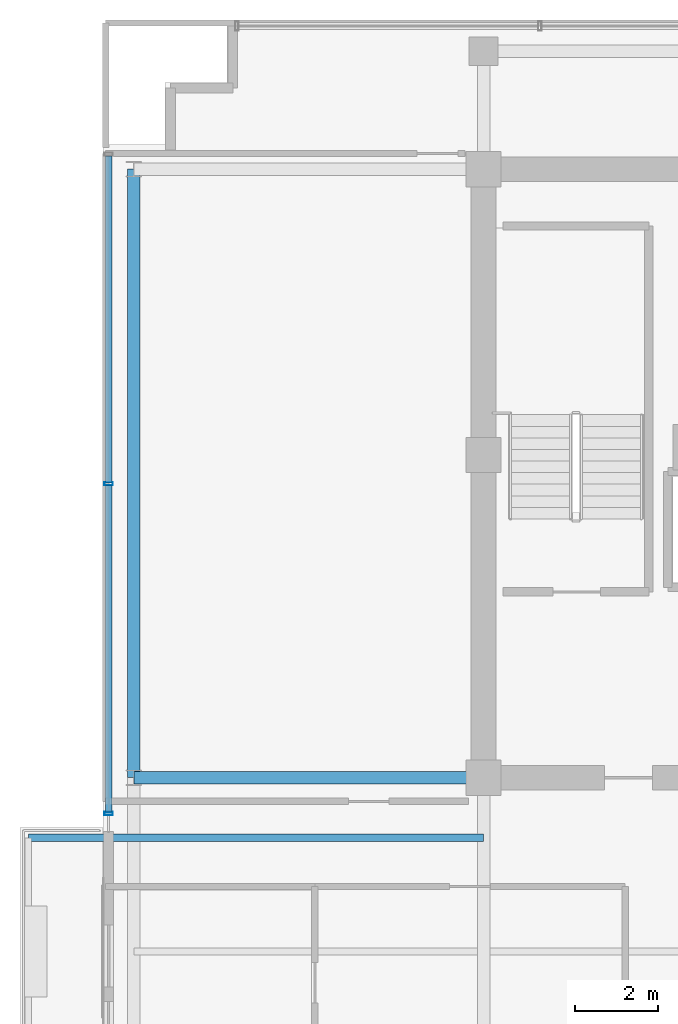
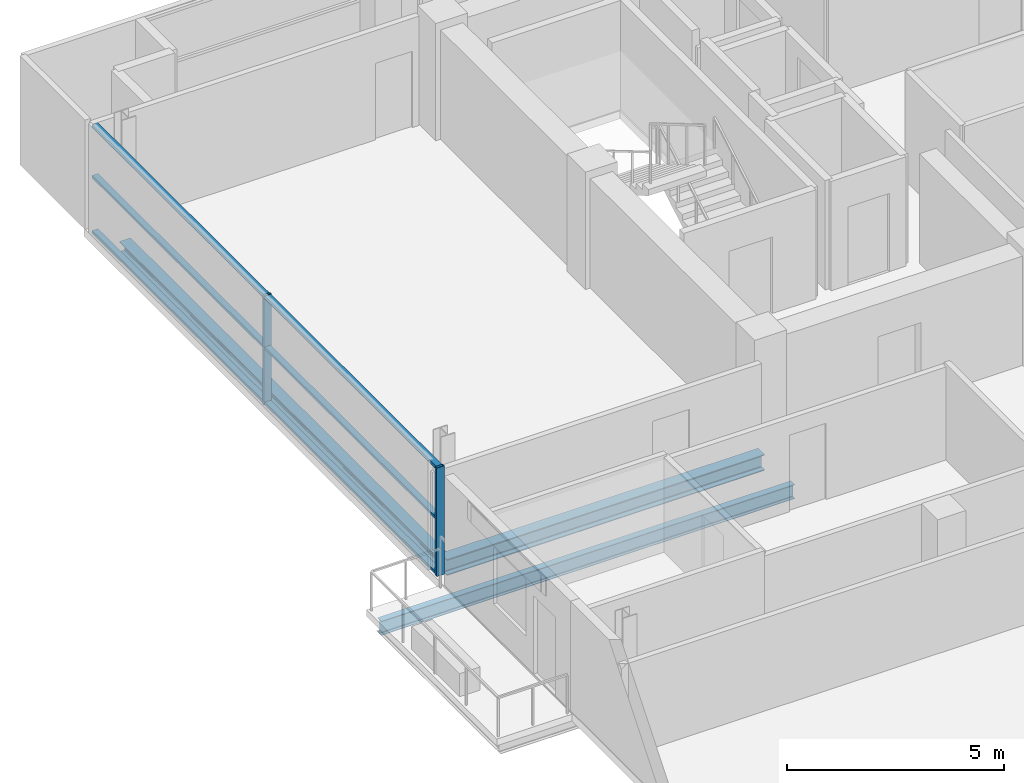
# One storey, part 6 of 22: 8 members, 3 beams, 1 element without a shape of its own.
"""IFC4 building model written with IfcOpenShell, lengths in metres."""

from ifc_helpers import new_model, si_unit, direction, frame, origin, origin_2d, place, context, subcontext, project, spatial, hollow_rectangle, i_section, extrude, source, transform, mapped, material, layer, layer_set, material_profile, profile_set, type_object, element, aggregate, save


model = new_model("IFC4")

# Units and contexts
model_context = context("Model", 3, precision=1e-05, world=origin(), true_north=direction((0.0, 1.0)))
body_context = subcontext(model_context, "Body", "Model", "MODEL_VIEW")
ifc_project = project(units=[si_unit("LENGTHUNIT", "METRE"), si_unit("AREAUNIT", "SQUARE_METRE"), si_unit("VOLUMEUNIT", "CUBIC_METRE"), si_unit("PLANEANGLEUNIT", "RADIAN"), si_unit("MASSUNIT", "GRAM", prefix="KILO")], contexts=[model_context])

# Site, building, storey
site_placement = place(None, origin())
site = spatial("IfcSite", under=ifc_project, at=site_placement, CompositionType="ELEMENT")
building_placement = place(site_placement, origin())
building = spatial("IfcBuilding", under=site, at=building_placement, Name="Zarnakvel Exchange Tower", CompositionType="ELEMENT")
storey_placement = place(building_placement, frame((0.0, 0.0, 215.5)))
storey = spatial("IfcBuildingStorey", under=building, at=storey_placement, Name="L60", CompositionType="ELEMENT", Elevation=215.5)

# Beams
ifc_material_1 = material(Name="Steel S355", Category="steel")
ifc_material_profile_1 = material_profile(ifc_material_1, i_section(OverallWidth=0.179931640625, OverallDepth=0.39990234375, WebThickness=0.008544921875, FlangeThickness=0.013427734375, FilletRadius=0.02099609375, at=origin_2d()))
ifc_profile_set_1 = profile_set([ifc_material_profile_1], Name="Steel S355")
beam_type_1 = type_object("IfcBeamType", Name="B-06", PredefinedType="JOIST", material=ifc_profile_set_1)
beam_1_placement = place(storey_placement, frame((-14.39990234375, -2.64990234375, -0.425048828125), z_axis=(-1.0, 0.0, 0.0), x_axis=(0.0, -1.0, 0.0)))
element("IfcBeam", 1, at=beam_1_placement, inside=storey, type_object=beam_type_1, Name="L60 Continuous West Loggia Beam N", PredefinedType="JOIST", context=body_context, shape_type="SweptSolid", body=[
    extrude(i_section(OverallWidth=0.179931640625, OverallDepth=0.39990234375, WebThickness=0.008544921875, FlangeThickness=0.013427734375, FilletRadius=0.02099609375, at=origin_2d()), origin(), (0.0, 0.0, 1.0), 11.0),
])
ifc_material_profile_2 = material_profile(ifc_material_1, i_section(OverallWidth=0.300048828125, OverallDepth=0.449951171875, WebThickness=0.013916015625, FlangeThickness=0.02587890625, FilletRadius=0.027099609375, at=origin_2d()))
ifc_profile_set_2 = profile_set([ifc_material_profile_2], Name="Steel S355")
beam_type_2 = type_object("IfcBeamType", Name="G-07", PredefinedType="BEAM", material=ifc_profile_set_2)
beam_2_placement = place(storey_placement, frame((-22.85009765625, -1.199951171875, -0.449951171875), z_axis=(1.0, 0.0, 0.0), x_axis=(0.0, 1.0, 0.0)))
element("IfcBeam", 2, at=beam_2_placement, inside=storey, type_object=beam_type_2, Name="L60 Tower E-W Frame Beam", PredefinedType="BEAM", context=body_context, shape_type="SweptSolid", body=[
    extrude(i_section(OverallWidth=0.300048828125, OverallDepth=0.449951171875, WebThickness=0.013916015625, FlangeThickness=0.02587890625, FilletRadius=0.027099609375, at=origin_2d()), origin(), (0.0, 0.0, 1.0), 8.4501953125),
])
ifc_material_profile_3 = material_profile(ifc_material_1, i_section(OverallWidth=0.300048828125, OverallDepth=0.300048828125, WebThickness=0.010986328125, FlangeThickness=0.01904296875, FilletRadius=0.027099609375, at=origin_2d()))
ifc_profile_set_3 = profile_set([ifc_material_profile_3], Name="Steel S355")
beam_type_3 = type_object("IfcBeamType", Name="SP-03", PredefinedType="SPANDREL", material=ifc_profile_set_3)
beam_3_placement = place(storey_placement, frame((-22.85009765625, -1.199951171875, -0.375), z_axis=(0.0, 1.0, 0.0), x_axis=(-1.0, 0.0, 0.0)))
element("IfcBeam", 3, at=beam_3_placement, inside=storey, type_object=beam_type_3, Name="L60 Tower N-S Frame Beam", PredefinedType="SPANDREL", context=body_context, shape_type="SweptSolid", body=[
    extrude(i_section(OverallWidth=0.300048828125, OverallDepth=0.300048828125, WebThickness=0.010986328125, FlangeThickness=0.01904296875, FilletRadius=0.027099609375, at=origin_2d()), origin(), (0.0, 0.0, 1.0), 14.699951171875),
])

# Curtain wall, members
ifc_material_2 = material(Name="Architectural Bronze Anodised Aluminium", Category="aluminium")
ifc_layer = layer(ifc_material_2, 0.199951171875)
ifc_layer_set = layer_set([ifc_layer], Name="Architectural Bronze Anodised Aluminium")
curtain_wall_type = type_object("IfcCurtainWallType", Name="CW-04", PredefinedType="NOTDEFINED", material=ifc_layer_set)
curtain_wall_placement = place(storey_placement, origin())
curtain_wall = element("IfcCurtainWall", 4, at=curtain_wall_placement, inside=storey, type_object=curtain_wall_type, Name="L60 Curtain Wall CW-L60-WN (CW-04)", PredefinedType="NOTDEFINED")
ifc_material_profile_4 = material_profile(ifc_material_2, hollow_rectangle(XDim=0.199951171875, YDim=0.074951171875, WallThickness=0.0048828125, at=origin_2d()))
ifc_profile_set_4 = profile_set([ifc_material_profile_4], Name="Architectural Bronze Anodised Aluminium")
member_type_1 = type_object("IfcMemberType", Name="CWM-04", PredefinedType="MULLION", material=ifc_profile_set_4)
shared_shape_1 = source(origin(), body_context, "Body", "SweptSolid", [
    extrude(hollow_rectangle(XDim=0.199951171875, YDim=0.074951171875, WallThickness=0.0048828125, at=origin_2d()), origin(), (0.0, 0.0, 1.0), 3.054931640625),
])
member_1_placement = place(storey_placement, frame((-23.4599609375, -2.0625, 0.0), z_axis=(0.0, 0.0, 1.0), x_axis=(-1.0, 0.0, 0.0)))
member_1 = element("IfcMember", 5, at=member_1_placement, type_object=member_type_1, Name="CW-04 mullion 1", PredefinedType="MULLION", context=body_context, shape_type="MappedRepresentation", body=[
    mapped(shared_shape_1, transform((0.0, 0.0, 0.0), x_axis=(1.0, 0.0, 0.0), y_axis=(0.0, 1.0, 0.0), z_axis=(0.0, 0.0, 1.0), scale=1.0)),
])
member_2_placement = place(storey_placement, frame((-23.4599609375, 5.89990234375, 0.0), z_axis=(0.0, 0.0, 1.0), x_axis=(-1.0, 0.0, 0.0)))
member_2 = element("IfcMember", 6, at=member_2_placement, type_object=member_type_1, Name="CW-04 mullion 2", PredefinedType="MULLION", context=body_context, shape_type="MappedRepresentation", body=[
    mapped(shared_shape_1, transform((0.0, 0.0, 0.0), x_axis=(1.0, 0.0, 0.0), y_axis=(0.0, 1.0, 0.0), z_axis=(0.0, 0.0, 1.0), scale=1.0)),
])
ifc_material_profile_5 = material_profile(ifc_material_2, hollow_rectangle(XDim=0.159912109375, YDim=0.074951171875, WallThickness=0.00390625, at=origin_2d()))
ifc_profile_set_5 = profile_set([ifc_material_profile_5], Name="Architectural Bronze Anodised Aluminium")
member_type_2 = type_object("IfcMemberType", Name="CWT-04", PredefinedType="USERDEFINED", material=ifc_profile_set_5)
shared_shape_2 = source(origin(), body_context, "Body", "SweptSolid", [
    extrude(hollow_rectangle(XDim=0.159912109375, YDim=0.074951171875, WallThickness=0.00390625, at=origin_2d()), origin(), (0.0, 0.0, 1.0), 7.887451171875),
])
member_3_placement = place(storey_placement, frame((-23.4599609375, -2.02490234375, 0.03759765625), z_axis=(0.0, 1.0, 0.0), x_axis=(-1.0, 0.0, 0.0)))
member_3 = element("IfcMember", 7, at=member_3_placement, type_object=member_type_2, Name="CW-04 transom 1.1", ObjectType="TRANSOM", PredefinedType="USERDEFINED", context=body_context, shape_type="MappedRepresentation", body=[
    mapped(shared_shape_2, transform((0.0, 0.0, 0.0), x_axis=(1.0, 0.0, 0.0), y_axis=(0.0, 1.0, 0.0), z_axis=(0.0, 0.0, 1.0), scale=1.0)),
])
member_4_placement = place(storey_placement, frame((-23.4599609375, -2.02490234375, 1.588623046875), z_axis=(0.0, 1.0, 0.0), x_axis=(-1.0, 0.0, 0.0)))
member_4 = element("IfcMember", 8, at=member_4_placement, type_object=member_type_2, Name="CW-04 transom 1.2", ObjectType="TRANSOM", PredefinedType="USERDEFINED", context=body_context, shape_type="MappedRepresentation", body=[
    mapped(shared_shape_2, transform((0.0, 0.0, 0.0), x_axis=(1.0, 0.0, 0.0), y_axis=(0.0, 1.0, 0.0), z_axis=(0.0, 0.0, 1.0), scale=1.0)),
])
member_5_placement = place(storey_placement, frame((-23.4599609375, -2.02490234375, 3.017578125), z_axis=(0.0, 1.0, 0.0), x_axis=(-1.0, 0.0, 0.0)))
member_5 = element("IfcMember", 9, at=member_5_placement, type_object=member_type_2, Name="CW-04 transom 1.3", ObjectType="TRANSOM", PredefinedType="USERDEFINED", context=body_context, shape_type="MappedRepresentation", body=[
    mapped(shared_shape_2, transform((0.0, 0.0, 0.0), x_axis=(1.0, 0.0, 0.0), y_axis=(0.0, 1.0, 0.0), z_axis=(0.0, 0.0, 1.0), scale=1.0)),
])
member_6_placement = place(storey_placement, frame((-23.4599609375, 5.9375, 0.03759765625), z_axis=(0.0, 1.0, 0.0), x_axis=(-1.0, 0.0, 0.0)))
member_6 = element("IfcMember", 10, at=member_6_placement, type_object=member_type_2, Name="CW-04 transom 2.1", ObjectType="TRANSOM", PredefinedType="USERDEFINED", context=body_context, shape_type="MappedRepresentation", body=[
    mapped(shared_shape_2, transform((0.0, 0.0, 0.0), x_axis=(1.0, 0.0, 0.0), y_axis=(0.0, 1.0, 0.0), z_axis=(0.0, 0.0, 1.0), scale=1.0)),
])
member_7_placement = place(storey_placement, frame((-23.4599609375, 5.9375, 1.588623046875), z_axis=(0.0, 1.0, 0.0), x_axis=(-1.0, 0.0, 0.0)))
member_7 = element("IfcMember", 11, at=member_7_placement, type_object=member_type_2, Name="CW-04 transom 2.2", ObjectType="TRANSOM", PredefinedType="USERDEFINED", context=body_context, shape_type="MappedRepresentation", body=[
    mapped(shared_shape_2, transform((0.0, 0.0, 0.0), x_axis=(1.0, 0.0, 0.0), y_axis=(0.0, 1.0, 0.0), z_axis=(0.0, 0.0, 1.0), scale=1.0)),
])
member_8_placement = place(storey_placement, frame((-23.4599609375, 5.9375, 3.017578125), z_axis=(0.0, 1.0, 0.0), x_axis=(-1.0, 0.0, 0.0)))
member_8 = element("IfcMember", 12, at=member_8_placement, type_object=member_type_2, Name="CW-04 transom 2.3", ObjectType="TRANSOM", PredefinedType="USERDEFINED", context=body_context, shape_type="MappedRepresentation", body=[
    mapped(shared_shape_2, transform((0.0, 0.0, 0.0), x_axis=(1.0, 0.0, 0.0), y_axis=(0.0, 1.0, 0.0), z_axis=(0.0, 0.0, 1.0), scale=1.0)),
])
aggregate(curtain_wall, [member_1, member_2, member_3, member_4, member_5, member_6, member_7, member_8])

save(model, "model.ifc")
